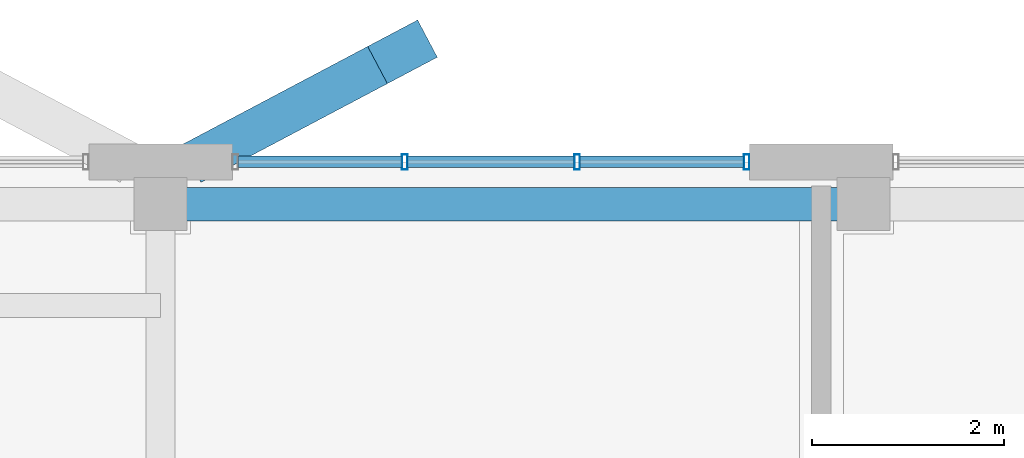
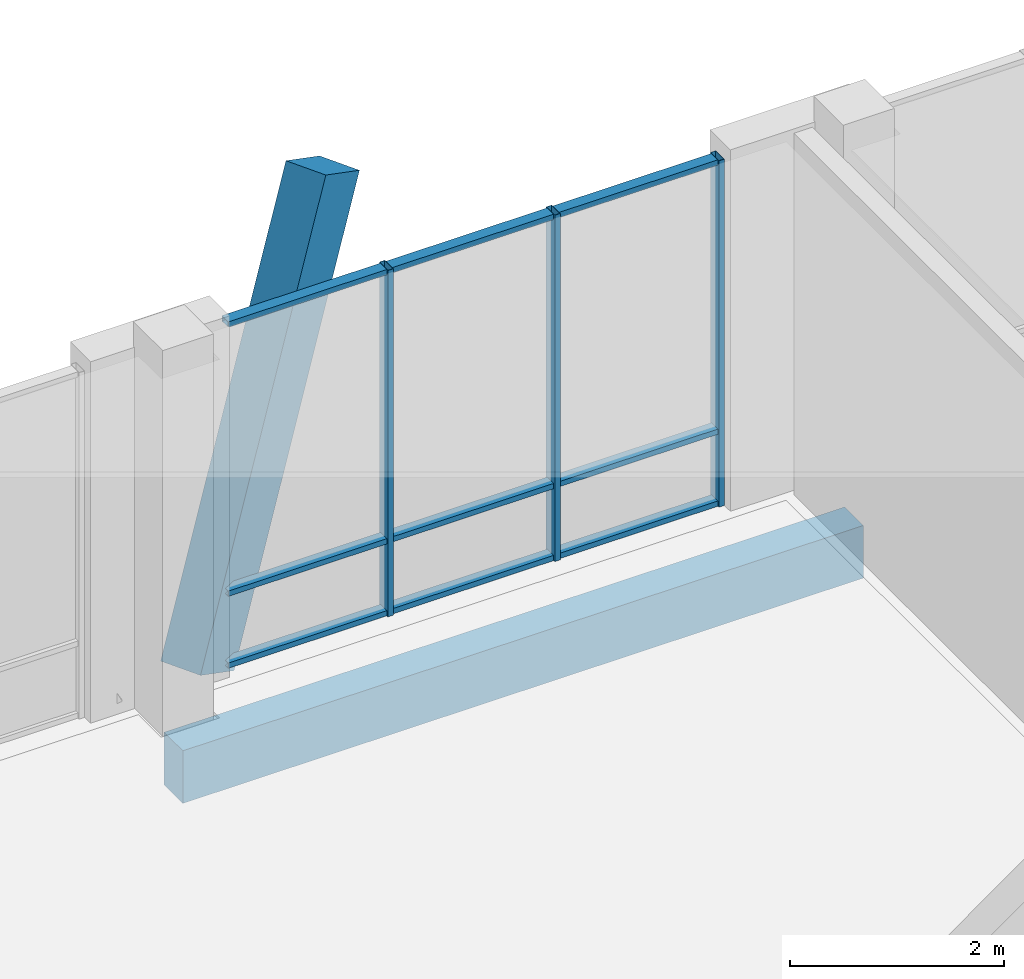
# One storey, part 134 of 233: 13 members, 1 beam, 1 element without a shape of its own.
"""IFC4 building model written with IfcOpenShell, lengths in metres."""

from ifc_helpers import new_model, si_unit, direction, frame, origin, origin_2d, place, context, subcontext, project, spatial, rectangle, hollow_rectangle, extrude, material, material_profile, profile_set, type_object, element, aggregate, save


model = new_model("IFC4")

# Units and contexts
model_context = context("Model", 3, precision=1e-05, world=origin(), true_north=direction((0.0, 1.0)))
body_context = subcontext(model_context, "Body", "Model", "MODEL_VIEW")
ifc_project = project(units=[si_unit("LENGTHUNIT", "METRE"), si_unit("AREAUNIT", "SQUARE_METRE"), si_unit("VOLUMEUNIT", "CUBIC_METRE"), si_unit("PLANEANGLEUNIT", "RADIAN"), si_unit("MASSUNIT", "GRAM", prefix="KILO")], contexts=[model_context])

# Site, building, storey
site_placement = place(None, origin())
site = spatial("IfcSite", under=ifc_project, at=site_placement, CompositionType="ELEMENT")
building_placement = place(site_placement, origin())
building = spatial("IfcBuilding", under=site, at=building_placement, Name="Zavelmont Quarter", CompositionType="ELEMENT")
storey_placement = place(building_placement, origin())
storey = spatial("IfcBuildingStorey", under=building, at=storey_placement, Name="L00", CompositionType="ELEMENT", Elevation=0.0)

# Beam
ifc_material_1 = material(Name="Concrete C35/45", Category="concrete")
ifc_material_profile_1 = material_profile(ifc_material_1, rectangle(XDim=0.35009765625, YDim=0.60009765625, at=origin_2d()), Name="RC350X600")
ifc_profile_set_1 = profile_set([ifc_material_profile_1], Name="Concrete C35/45")
beam_type = type_object("IfcBeamType", Name="BM01", PredefinedType="SPANDREL", material=ifc_profile_set_1)
beam_placement = place(storey_placement, frame((119.699951171875, 115.56005859375, -0.6201171875), z_axis=(1.0, 0.0, 0.0), x_axis=(0.0, 1.0, 0.0)))
element("IfcBeam", 1, at=beam_placement, inside=storey, type_object=beam_type, Name="L00 beam BM01 18/S to 19/S", PredefinedType="SPANDREL", context=body_context, shape_type="SweptSolid", body=[
    extrude(rectangle(XDim=0.35009765625, YDim=0.60009765625, at=origin_2d()), origin(), (0.0, 0.0, 1.0), 7.340087890625),
])

# Curtain wall, members
ifc_material_2 = material(Name="Thermally broken aluminium and double low-E safety glazing", Category="aluminium")
curtain_wall_type = type_object("IfcCurtainWallType", Name="CW-540X395", PredefinedType="NOTDEFINED", material=ifc_material_2)
curtain_wall_placement = place(storey_placement, origin())
curtain_wall = element("IfcCurtainWall", 2, at=curtain_wall_placement, inside=storey, type_object=curtain_wall_type, Name="L00 unitised curtain wall CW-540X395", PredefinedType="NOTDEFINED")
ifc_material_3 = material(Name="Powder-coated aluminium EN AW-6063-T6", Category="aluminium")
ifc_material_profile_2 = material_profile(ifc_material_3, hollow_rectangle(XDim=0.06005859375, YDim=0.159912109375, WallThickness=0.00390625, at=origin_2d()), Name="CWM60X160")
ifc_profile_set_2 = profile_set([ifc_material_profile_2], Name="Powder-coated aluminium EN AW-6063-T6")
member_type_1 = type_object("IfcMemberType", Name="CWM01", PredefinedType="MULLION", material=ifc_profile_set_2)
member_1_placement = place(storey_placement, frame((122.25, 116.0, 0.0), z_axis=(0.0, 0.0, 1.0), x_axis=(1.0, 0.0, 0.0)))
member_1 = element("IfcMember", 3, at=member_1_placement, type_object=member_type_1, Name="CW-540X395 mullion 2", PredefinedType="MULLION", context=body_context, shape_type="SweptSolid", body=[
    extrude(hollow_rectangle(XDim=0.06005859375, YDim=0.159912109375, WallThickness=0.00390625, at=origin_2d()), origin(), (0.0, 0.0, 1.0), 3.949951171875),
])
member_2_placement = place(storey_placement, frame((124.050048828125, 116.0, 0.0), z_axis=(0.0, 0.0, 1.0), x_axis=(1.0, 0.0, 0.0)))
member_2 = element("IfcMember", 4, at=member_2_placement, type_object=member_type_1, Name="CW-540X395 mullion 3", PredefinedType="MULLION", context=body_context, shape_type="SweptSolid", body=[
    extrude(hollow_rectangle(XDim=0.06005859375, YDim=0.159912109375, WallThickness=0.00390625, at=origin_2d()), origin(), (0.0, 0.0, 1.0), 3.949951171875),
])
member_3_placement = place(storey_placement, frame((125.820068359375, 116.0, 0.0), z_axis=(0.0, 0.0, 1.0), x_axis=(1.0, 0.0, 0.0)))
member_3 = element("IfcMember", 5, at=member_3_placement, type_object=member_type_1, Name="CW-540X395 mullion 4", PredefinedType="MULLION", context=body_context, shape_type="SweptSolid", body=[
    extrude(hollow_rectangle(XDim=0.06005859375, YDim=0.159912109375, WallThickness=0.00390625, at=origin_2d()), origin(), (0.0, 0.0, 1.0), 3.949951171875),
])
ifc_material_profile_3 = material_profile(ifc_material_3, hollow_rectangle(XDim=0.1201171875, YDim=0.06005859375, WallThickness=0.00390625, at=origin_2d()), Name="CWT60X120")
ifc_profile_set_3 = profile_set([ifc_material_profile_3], Name="Powder-coated aluminium EN AW-6063-T6")
member_type_2 = type_object("IfcMemberType", Name="CWT01", PredefinedType="NOTDEFINED", material=ifc_profile_set_3)
member_4_placement = place(storey_placement, frame((120.510009765625, 116.0, 0.030029296875), z_axis=(1.0, 0.0, 0.0), x_axis=(0.0, 1.0, 0.0)))
member_4 = element("IfcMember", 6, at=member_4_placement, type_object=member_type_2, Name="CW-540X395 transom 1.1", ObjectType="TRANSOM", PredefinedType="USERDEFINED", context=body_context, shape_type="SweptSolid", body=[
    extrude(hollow_rectangle(XDim=0.1201171875, YDim=0.06005859375, WallThickness=0.00390625, at=origin_2d()), origin(), (0.0, 0.0, 1.0), 1.7099609375),
])
member_5_placement = place(storey_placement, frame((120.510009765625, 116.0, 0.85009765625), z_axis=(1.0, 0.0, 0.0), x_axis=(0.0, 1.0, 0.0)))
member_5 = element("IfcMember", 7, at=member_5_placement, type_object=member_type_2, Name="CW-540X395 transom 1.2", ObjectType="TRANSOM", PredefinedType="USERDEFINED", context=body_context, shape_type="SweptSolid", body=[
    extrude(hollow_rectangle(XDim=0.1201171875, YDim=0.06005859375, WallThickness=0.00390625, at=origin_2d()), origin(), (0.0, 0.0, 1.0), 1.7099609375),
])
member_6_placement = place(storey_placement, frame((120.510009765625, 116.0, 3.919921875), z_axis=(1.0, 0.0, 0.0), x_axis=(0.0, 1.0, 0.0)))
member_6 = element("IfcMember", 8, at=member_6_placement, type_object=member_type_2, Name="CW-540X395 transom 1.3", ObjectType="TRANSOM", PredefinedType="USERDEFINED", context=body_context, shape_type="SweptSolid", body=[
    extrude(hollow_rectangle(XDim=0.1201171875, YDim=0.06005859375, WallThickness=0.00390625, at=origin_2d()), origin(), (0.0, 0.0, 1.0), 1.7099609375),
])
member_7_placement = place(storey_placement, frame((122.280029296875, 116.0, 0.030029296875), z_axis=(1.0, 0.0, 0.0), x_axis=(0.0, 1.0, 0.0)))
member_7 = element("IfcMember", 9, at=member_7_placement, type_object=member_type_2, Name="CW-540X395 transom 2.1", ObjectType="TRANSOM", PredefinedType="USERDEFINED", context=body_context, shape_type="SweptSolid", body=[
    extrude(hollow_rectangle(XDim=0.1201171875, YDim=0.06005859375, WallThickness=0.00390625, at=origin_2d()), origin(), (0.0, 0.0, 1.0), 1.739990234375),
])
member_8_placement = place(storey_placement, frame((122.280029296875, 116.0, 0.85009765625), z_axis=(1.0, 0.0, 0.0), x_axis=(0.0, 1.0, 0.0)))
member_8 = element("IfcMember", 10, at=member_8_placement, type_object=member_type_2, Name="CW-540X395 transom 2.2", ObjectType="TRANSOM", PredefinedType="USERDEFINED", context=body_context, shape_type="SweptSolid", body=[
    extrude(hollow_rectangle(XDim=0.1201171875, YDim=0.06005859375, WallThickness=0.00390625, at=origin_2d()), origin(), (0.0, 0.0, 1.0), 1.739990234375),
])
member_9_placement = place(storey_placement, frame((122.280029296875, 116.0, 3.919921875), z_axis=(1.0, 0.0, 0.0), x_axis=(0.0, 1.0, 0.0)))
member_9 = element("IfcMember", 11, at=member_9_placement, type_object=member_type_2, Name="CW-540X395 transom 2.3", ObjectType="TRANSOM", PredefinedType="USERDEFINED", context=body_context, shape_type="SweptSolid", body=[
    extrude(hollow_rectangle(XDim=0.1201171875, YDim=0.06005859375, WallThickness=0.00390625, at=origin_2d()), origin(), (0.0, 0.0, 1.0), 1.739990234375),
])
member_10_placement = place(storey_placement, frame((124.080078125, 116.0, 0.030029296875), z_axis=(1.0, 0.0, 0.0), x_axis=(0.0, 1.0, 0.0)))
member_10 = element("IfcMember", 12, at=member_10_placement, type_object=member_type_2, Name="CW-540X395 transom 3.1", ObjectType="TRANSOM", PredefinedType="USERDEFINED", context=body_context, shape_type="SweptSolid", body=[
    extrude(hollow_rectangle(XDim=0.1201171875, YDim=0.06005859375, WallThickness=0.00390625, at=origin_2d()), origin(), (0.0, 0.0, 1.0), 1.7099609375),
])
member_11_placement = place(storey_placement, frame((124.080078125, 116.0, 0.85009765625), z_axis=(1.0, 0.0, 0.0), x_axis=(0.0, 1.0, 0.0)))
member_11 = element("IfcMember", 13, at=member_11_placement, type_object=member_type_2, Name="CW-540X395 transom 3.2", ObjectType="TRANSOM", PredefinedType="USERDEFINED", context=body_context, shape_type="SweptSolid", body=[
    extrude(hollow_rectangle(XDim=0.1201171875, YDim=0.06005859375, WallThickness=0.00390625, at=origin_2d()), origin(), (0.0, 0.0, 1.0), 1.7099609375),
])
member_12_placement = place(storey_placement, frame((124.080078125, 116.0, 3.919921875), z_axis=(1.0, 0.0, 0.0), x_axis=(0.0, 1.0, 0.0)))
member_12 = element("IfcMember", 14, at=member_12_placement, type_object=member_type_2, Name="CW-540X395 transom 3.3", ObjectType="TRANSOM", PredefinedType="USERDEFINED", context=body_context, shape_type="SweptSolid", body=[
    extrude(hollow_rectangle(XDim=0.1201171875, YDim=0.06005859375, WallThickness=0.00390625, at=origin_2d()), origin(), (0.0, 0.0, 1.0), 1.7099609375),
])
aggregate(curtain_wall, [member_1, member_2, member_3, member_4, member_5, member_6, member_7, member_8, member_9, member_10, member_11, member_12])

# Member
ifc_material_4 = material(Name="White architectural precast concrete C40/50", Category="concrete")
ifc_material_profile_4 = material_profile(ifc_material_4, rectangle(XDim=0.43994140625, YDim=0.659912109375, at=origin_2d()), Name="PCR320X480")
ifc_profile_set_4 = profile_set([ifc_material_profile_4], Name="White architectural precast concrete C40/50")
member_type_3 = type_object("IfcMemberType", Name="VR01M", PredefinedType="CHORD", material=ifc_profile_set_4)
member_13_placement = place(storey_placement, frame((120.280029296875, 116.1201171875, 0.0), z_axis=(0.39561893726, 0.209296460224, 0.894248650107), x_axis=(-0.467627916906, 0.883925410501, 0.0)))
element("IfcMember", 15, at=member_13_placement, inside=storey, type_object=member_type_3, Name="L00 member VR01M 18/S to 18/S", PredefinedType="CHORD", context=body_context, shape_type="SweptSolid", body=[
    extrude(rectangle(XDim=0.43994140625, YDim=0.659912109375, at=origin_2d()), origin(), (0.0, 0.0, 1.0), 4.920166015625),
])

save(model, "model.ifc")
